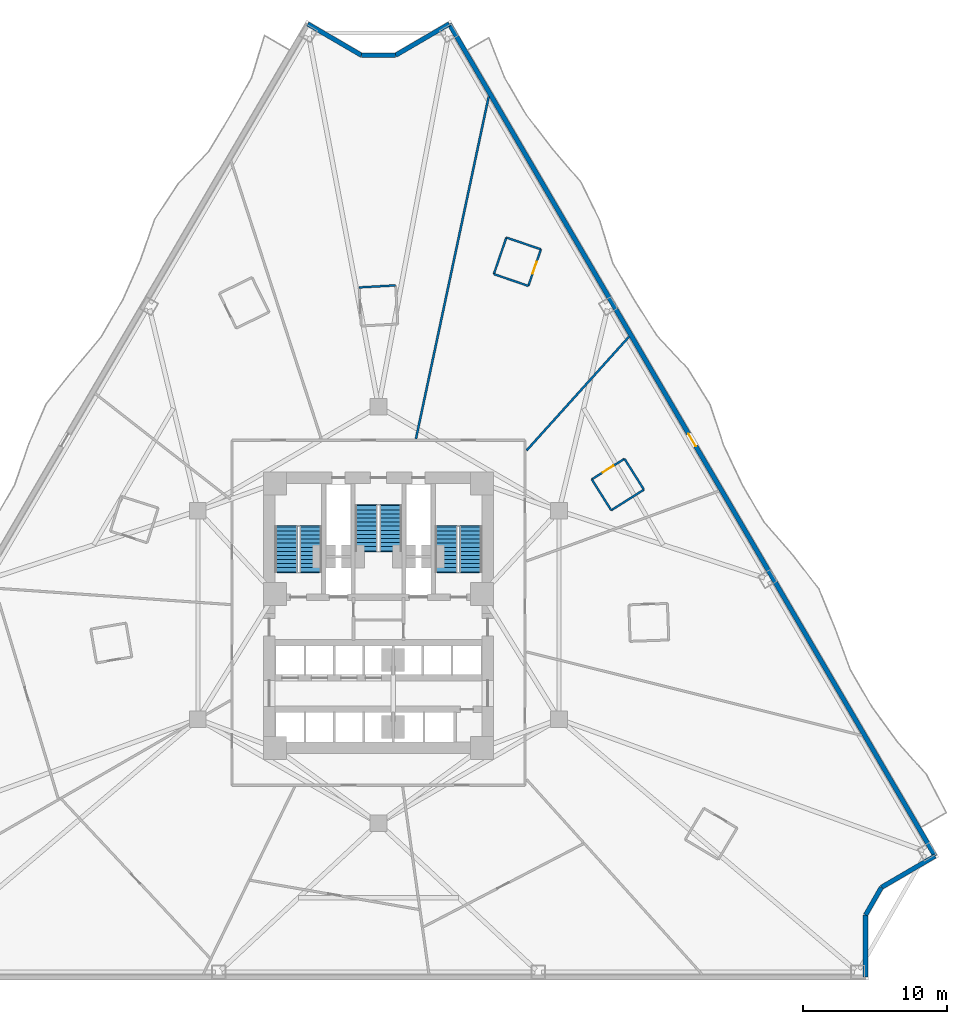
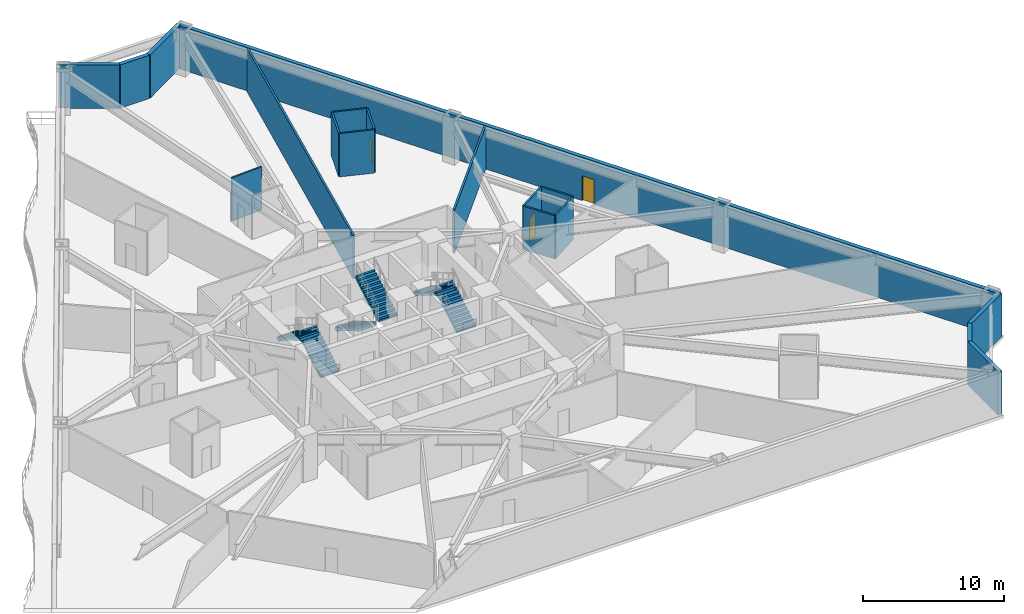
# One storey, part 7 of 11: 18 walls, 6 stair flights, 3 doors, 3 openings, 3 elements without a shape of their own.
"""IFC4 building model written with IfcOpenShell, lengths in metres."""

import ifcopenshell
import ifcopenshell.guid

model = None  # the IFC model being written
_history = None  # IfcOwnerHistory: only IFC2X3 demands one
_inside = {}  # id of a spatial element -> (the spatial element, [elements in it])
_under = {}  # id of a project, library or spatial element -> (it, [spatial elements below it])
_declared = {}  # id of a project -> (the project, [libraries it declares])
_typed = {}  # id of a type object -> (the type object, [elements of that type])
_made_of = {}  # id of a material, layer set ... -> (it, [elements and type objects made of it])


def new_model(schema):
    """Start an empty IFC model of exactly this schema.

    Asked for "IFC4X3", IfcOpenShell would pick the latest addendum, in which some entities
    have other attributes; the version numbers below select the first issue.
    IFC2X3 requires an IfcOwnerHistory on every rooted entity: one is made here for all.
    """
    global model, _history
    if schema == "IFC4X3":
        model = ifcopenshell.file(schema_version=(4, 3, 0, 0))
    else:
        model = ifcopenshell.file(schema=schema)
    _inside.clear()
    _under.clear()
    _declared.clear()
    _typed.clear()
    _made_of.clear()
    _history = None
    if model.schema == "IFC2X3":
        org = make("IfcOrganization", Name="unknown")
        user = make(
            "IfcPersonAndOrganization",
            ThePerson=make("IfcPerson", FamilyName="unknown"),
            TheOrganization=org,
        )
        app = make(
            "IfcApplication",
            ApplicationDeveloper=org,
            Version="unknown",
            ApplicationFullName="unknown",
            ApplicationIdentifier="unknown",
        )
        _history = make(
            "IfcOwnerHistory",
            OwningUser=user,
            OwningApplication=app,
            ChangeAction="ADDED",
            CreationDate=0,
        )
    return model


def make(cls, **values):
    """One entity of the class cls with the attributes given. An attribute that is None is left unset."""
    return model.create_entity(
        cls, **{name: value for name, value in values.items() if value is not None}
    )


def rooted(cls, **values):
    """An entity with a GlobalId (a new one), such as an element, a storey or a relation."""
    return make(cls, GlobalId=ifcopenshell.guid.new(), OwnerHistory=_history, **values)


def si_unit(unit_type, name, prefix=None):
    """IfcSIUnit, for example si_unit("LENGTHUNIT", "METRE", prefix="MILLI")."""
    return make("IfcSIUnit", UnitType=unit_type, Prefix=prefix, Name=name)


def assignment(units):
    """IfcUnitAssignment: the units of a project."""
    return None if units is None else make("IfcUnitAssignment", Units=units)


def point(xyz):
    """IfcCartesianPoint."""
    return None if xyz is None else make("IfcCartesianPoint", Coordinates=xyz)


def direction(xyz):
    """IfcDirection."""
    return None if xyz is None else make("IfcDirection", DirectionRatios=xyz)


def frame(location, z_axis=None, x_axis=None):
    """IfcAxis2Placement3D, a coordinate frame: its origin and axes. An axis left out is left unset."""
    return make(
        "IfcAxis2Placement3D",
        Location=point(location),
        Axis=direction(z_axis),
        RefDirection=direction(x_axis),
    )


def frame_2d(location, x_axis=None):
    """IfcAxis2Placement2D, a coordinate frame in the plane: its origin and x axis."""
    return make(
        "IfcAxis2Placement2D", Location=point(location), RefDirection=direction(x_axis)
    )


def origin():
    """The frame at (0, 0, 0) with its axes left unset."""
    return frame((0.0, 0.0, 0.0))


def place(relative_to, where):
    """IfcLocalPlacement: puts the frame where relative to a parent placement (None: the world)."""
    return make(
        "IfcLocalPlacement", PlacementRelTo=relative_to, RelativePlacement=where
    )


def context(
    kind, dimensions, precision=None, world=None, true_north=None, identifier=None
):
    """IfcGeometricRepresentationContext, for example the 3D "Model" context."""
    return make(
        "IfcGeometricRepresentationContext",
        ContextIdentifier=identifier,
        ContextType=kind,
        CoordinateSpaceDimension=dimensions,
        Precision=precision,
        WorldCoordinateSystem=world,
        TrueNorth=true_north,
    )


def subcontext(parent, identifier, kind, view, scale=None):
    """IfcGeometricRepresentationSubContext, for example "Body" below "Model"."""
    return make(
        "IfcGeometricRepresentationSubContext",
        ContextIdentifier=identifier,
        ContextType=kind,
        ParentContext=parent,
        TargetScale=scale,
        TargetView=view,
    )


def project(units=None, contexts=None):
    """IfcProject with its units and contexts."""
    return rooted(
        "IfcProject",
        Name="project",
        RepresentationContexts=contexts,
        UnitsInContext=assignment(units),
    )


def spatial(cls, under=None, at=None, **own):
    """A site, building, storey or space (cls), placed at a placement, below another one or the project."""
    s = rooted(cls, ObjectPlacement=at, **own)
    if under is not None:
        _under.setdefault(under.id(), (under, []))[1].append(s)
    return s


def polyline(points):
    """IfcPolyline through the points."""
    return make("IfcPolyline", Points=[point(p) for p in points])


def profile(cls, at=None, kind="AREA", **sizes):
    """A parametric profile (cls). Its sizes go by their IFC names, for example OverallWidth=200.0."""
    return make(cls, ProfileType=kind, Position=at, **sizes)


def rectangle(**sizes):
    """IfcRectangleProfileDef."""
    return profile("IfcRectangleProfileDef", **sizes)


def outline(outer, holes=None, kind="AREA"):
    """IfcArbitraryClosedProfileDef: a profile drawn as a closed curve; with holes, ...WithVoids."""
    if holes is None:
        return make("IfcArbitraryClosedProfileDef", ProfileType=kind, OuterCurve=outer)
    return make(
        "IfcArbitraryProfileDefWithVoids",
        ProfileType=kind,
        OuterCurve=outer,
        InnerCurves=holes,
    )


def extrude(swept, where, along, depth):
    """IfcExtrudedAreaSolid: the profile swept, set in the frame where, extruded along a direction by depth."""
    return make(
        "IfcExtrudedAreaSolid",
        SweptArea=swept,
        Position=where,
        ExtrudedDirection=direction(along),
        Depth=depth,
    )


def shape(context_of_items, identifier, shape_type, items):
    """IfcShapeRepresentation: the items that make up one representation, for example the "Body"."""
    return make(
        "IfcShapeRepresentation",
        ContextOfItems=context_of_items,
        RepresentationIdentifier=identifier,
        RepresentationType=shape_type,
        Items=items,
    )


def material(Name=None, Category=None):
    """IfcMaterial."""
    return make("IfcMaterial", Name=Name, Category=Category)


def layer(
    of_material, thickness, ventilated=None, Name=None, Category=None, Priority=None
):
    """IfcMaterialLayer: one layer of a wall or slab, of a material (None: an air gap)."""
    return make(
        "IfcMaterialLayer",
        Material=of_material,
        LayerThickness=thickness,
        IsVentilated=ventilated,
        Name=Name,
        Category=Category,
        Priority=Priority,
    )


def layer_set(layers, Name=None):
    """IfcMaterialLayerSet."""
    return make("IfcMaterialLayerSet", MaterialLayers=layers, LayerSetName=Name)


def made_of(thing, what):
    """Note that an element or type object is made of a material, layer set ...; save() writes the relation."""
    if what is not None:
        _made_of.setdefault(what.id(), (what, []))[1].append(thing)
    return thing


def type_object(cls, material=None, **own):
    """A type object (cls), such as IfcWallType, which elements share."""
    return made_of(rooted(cls, **own), material)


def element(
    cls,
    number,
    at=None,
    inside=None,
    cuts=None,
    type_object=None,
    material=None,
    context=None,
    identifier="Body",
    shape_type=None,
    held_by="IfcProductDefinitionShape",
    body=None,
    shapes=None,
    **own,
):
    """One element of the class cls, such as IfcWall. Its Tag is "e" and its number.

    at: its placement. inside: the storey or other place that contains it. cuts: it is an
    opening in that element (IfcRelVoidsElement). A single representation is given by context,
    identifier, shape_type and body (its items); several are given by shapes. held_by: the class
    of the entity that holds the representations. save() writes the other relations.
    """
    e = rooted(cls, Tag="e%d" % number, ObjectPlacement=at, **own)
    if body is not None:
        shapes = [shape(context, identifier, shape_type, body)]
    if shapes is not None:
        e.Representation = make(held_by, Representations=shapes)
    if inside is not None:
        _inside.setdefault(inside.id(), (inside, []))[1].append(e)
    if cuts is not None:
        rooted(
            "IfcRelVoidsElement", RelatingBuildingElement=cuts, RelatedOpeningElement=e
        )
    if type_object is not None:
        _typed.setdefault(type_object.id(), (type_object, []))[1].append(e)
    return made_of(e, material)


def fill(opening, filler):
    """IfcRelFillsElement: the door or window that sits in an opening."""
    return rooted(
        "IfcRelFillsElement",
        RelatingOpeningElement=opening,
        RelatedBuildingElement=filler,
    )


def aggregate(whole, parts):
    """IfcRelAggregates: a whole, such as a stair, and the parts it consists of."""
    return rooted("IfcRelAggregates", RelatingObject=whole, RelatedObjects=parts)


def save(model, path):
    """Write the relations noted so far, then the file.

    IfcRelAggregates (storeys below a building ...), IfcRelContainedInSpatialStructure (elements
    in a storey), IfcRelDefinesByType, IfcRelAssociatesMaterial and IfcRelDeclares: one each for
    every whole, place, type object, material and project.
    """
    for whole, parts in _under.values():
        aggregate(whole, parts)
    for where, things in _inside.values():
        rooted(
            "IfcRelContainedInSpatialStructure",
            RelatedElements=things,
            RelatingStructure=where,
        )
    for kind, things in _typed.values():
        rooted("IfcRelDefinesByType", RelatedObjects=things, RelatingType=kind)
    for what, things in _made_of.values():
        rooted("IfcRelAssociatesMaterial", RelatedObjects=things, RelatingMaterial=what)
    for by, libraries in _declared.values():
        rooted("IfcRelDeclares", RelatingContext=by, RelatedDefinitions=libraries)
    model.write(path)


model = new_model("IFC4")

# Units and contexts
model_context = context("Model", 3, precision=1e-05, world=origin(), true_north=direction((0.0, 1.0)))
body_context = subcontext(model_context, "Body", "Model", "MODEL_VIEW")
ifc_project = project(units=[si_unit("LENGTHUNIT", "METRE"), si_unit("AREAUNIT", "SQUARE_METRE"), si_unit("VOLUMEUNIT", "CUBIC_METRE"), si_unit("PLANEANGLEUNIT", "RADIAN"), si_unit("MASSUNIT", "GRAM", prefix="KILO")], contexts=[model_context])

# Site, building, storey
site_placement = place(None, origin())
site = spatial("IfcSite", under=ifc_project, at=site_placement, CompositionType="ELEMENT")
building_placement = place(site_placement, origin())
building = spatial("IfcBuilding", under=site, at=building_placement, Name="Apsidion Concourse Tower", CompositionType="ELEMENT")
storey_placement = place(building_placement, frame((0.0, 0.0, 54.39990234375)))
storey = spatial("IfcBuildingStorey", under=building, at=storey_placement, Name="L11", CompositionType="ELEMENT", Elevation=54.39990234375)

# Wall, opening, door
ifc_material_1 = material(Name="Precast concrete C40/50", Category="concrete")
ifc_layer_1 = layer(ifc_material_1, 0.320068359375)
ifc_layer_set_1 = layer_set([ifc_layer_1], Name="Precast concrete C40/50")
wall_type_1 = type_object("IfcWallType", Name="WL-EXT-320", PredefinedType="STANDARD", material=ifc_layer_set_1)
wall_1_placement = place(storey_placement, frame((4.9228515625, 41.121826171875, 0.0), z_axis=(0.0, 0.0, 1.0), x_axis=(0.504213113214, -0.863579258935, 0.0)))
wall_1 = element("IfcWall", 1, at=wall_1_placement, inside=storey, type_object=wall_type_1, Name="L11 Precast Stone Facade Wall 01", PredefinedType="STANDARD", context=body_context, shape_type="SweptSolid", body=[
    extrude(rectangle(XDim=67.041015625, YDim=0.320068359375, at=frame_2d((33.5205078125, 0.0))), origin(), (0.0, 0.0, 1.0), 3.75),
])
opening_1_placement = place(wall_1_placement, frame((33.0205078125, 0.0, 0.0)))
opening_1 = element("IfcOpeningElement", 2, at=opening_1_placement, cuts=wall_1, Name="Opening D-T1R", PredefinedType="OPENING", context=body_context, shape_type="SweptSolid", body=[
    extrude(rectangle(XDim=1.0, YDim=2.14990234375, at=frame_2d((0.5, 1.074951171875))), frame((0.0, 0.169921875, 0.0), z_axis=(0.0, -1.0, 0.0), x_axis=(1.0, 0.0, 0.0)), (0.0, 0.0, 1.0), 0.340087890625),
])
ifc_material_2 = material(Name="Anodised aluminium EN AW-6063 T6", Category="aluminium")
door_type_1 = type_object("IfcDoorType", Name="DR-TER-1022R", OperationType="SINGLE_SWING_RIGHT", PredefinedType="DOOR", material=ifc_material_2)
door_1_placement = place(opening_1_placement, origin())
door_1 = element("IfcDoor", 3, at=door_1_placement, inside=storey, type_object=door_type_1, Name="L11 Balcony Access Door 1", OperationType="SINGLE_SWING_RIGHT", OverallHeight=2.14990234375, OverallWidth=1.0, PredefinedType="DOOR", context=body_context, shape_type="SweptSolid", body=[
    extrude(rectangle(XDim=1.0, YDim=2.14990234375, at=frame_2d((0.5, 1.074951171875))), frame((0.0, 0.02490234375, 0.0), z_axis=(0.0, -1.0, 0.0), x_axis=(1.0, 0.0, 0.0)), (0.0, 0.0, 1.0), 0.050048828125),
])
fill(opening_1, door_1)

# Walls
wall_2_placement = place(storey_placement, frame((38.725830078125, -16.7734375, 0.0), z_axis=(0.0, 0.0, 1.0), x_axis=(-0.863569936823, -0.504229079105, 0.0)))
element("IfcWall", 4, at=wall_2_placement, inside=storey, type_object=wall_type_1, Name="L11 Precast Stone Facade Wall 02", PredefinedType="STANDARD", context=body_context, shape_type="SweptSolid", body=[
    extrude(rectangle(XDim=4.32373046875, YDim=0.320068359375, at=frame_2d((2.161865234375, 0.0))), origin(), (0.0, 0.0, 1.0), 3.75),
])
wall_3_placement = place(storey_placement, frame((34.991943359375, -18.95361328125, 0.0), z_axis=(0.0, 0.0, 1.0), x_axis=(-0.497881323344, -0.867245171717, 0.0)))
element("IfcWall", 5, at=wall_3_placement, inside=storey, type_object=wall_type_1, Name="L11 Precast Stone Facade Wall 03", PredefinedType="STANDARD", context=body_context, shape_type="SweptSolid", body=[
    extrude(rectangle(XDim=2.216796875, YDim=0.320068359375, at=frame_2d((1.1083984375, 0.0))), origin(), (0.0, 0.0, 1.0), 3.75),
])
wall_4_placement = place(storey_placement, frame((33.88818359375, -20.876220703125, 0.0), z_axis=(0.0, 0.0, 1.0), x_axis=(0.0, -1.0, 0.0)))
element("IfcWall", 6, at=wall_4_placement, inside=storey, type_object=wall_type_1, Name="L11 Precast Stone Facade Wall 04", PredefinedType="STANDARD", context=body_context, shape_type="SweptSolid", body=[
    extrude(rectangle(XDim=4.32373046875, YDim=0.320068359375, at=frame_2d((2.161865234375, 0.0))), origin(), (0.0, 0.0, 1.0), 3.75),
])
wall_5_placement = place(storey_placement, frame((-4.9228515625, 41.121826171875, 0.0), z_axis=(0.0, 0.0, 1.0), x_axis=(0.863588414101, -0.50419743259, 0.0)))
element("IfcWall", 7, at=wall_5_placement, inside=storey, type_object=wall_type_1, Name="L11 Precast Stone Facade Wall 10", PredefinedType="STANDARD", context=body_context, shape_type="SweptSolid", body=[
    extrude(rectangle(XDim=4.324462890625, YDim=0.320068359375, at=frame_2d((2.162109375, 0.0))), origin(), (0.0, 0.0, 1.0), 3.75),
])
wall_6_placement = place(storey_placement, frame((-1.188232421875, 38.94140625, 0.0), z_axis=(0.0, 0.0, 1.0), x_axis=(1.0, 0.0, 0.0)))
element("IfcWall", 8, at=wall_6_placement, inside=storey, type_object=wall_type_1, Name="L11 Precast Stone Facade Wall 11", PredefinedType="STANDARD", context=body_context, shape_type="SweptSolid", body=[
    extrude(rectangle(XDim=2.37646484375, YDim=0.320068359375, at=frame_2d((1.188232421875, 0.0))), origin(), (0.0, 0.0, 1.0), 3.75),
])
wall_7_placement = place(storey_placement, frame((1.188232421875, 38.94140625, 0.0), z_axis=(0.0, 0.0, 1.0), x_axis=(0.863588414101, 0.50419743259, 0.0)))
element("IfcWall", 9, at=wall_7_placement, inside=storey, type_object=wall_type_1, Name="L11 Precast Stone Facade Wall 12", PredefinedType="STANDARD", context=body_context, shape_type="SweptSolid", body=[
    extrude(rectangle(XDim=4.324462890625, YDim=0.320068359375, at=frame_2d((2.162109375, 0.0))), origin(), (0.0, 0.0, 1.0), 3.75),
])
ifc_material_3 = material(Name="Gypsum plasterboard partition")
ifc_layer_2 = layer(ifc_material_3, 0.139892578125)
ifc_layer_set_2 = layer_set([ifc_layer_2], Name="Gypsum plasterboard partition")
wall_type_2 = type_object("IfcWallType", Name="WL-INT-PAR-140", PredefinedType="PARTITIONING", material=ifc_layer_set_2)
wall_8_placement = place(storey_placement, frame((16.19287109375, 7.283203125, 0.0), z_axis=(0.0, 0.0, 1.0), x_axis=(0.846152501914, 0.532940844282, 0.0)))
element("IfcWall", 10, at=wall_8_placement, inside=storey, type_object=wall_type_2, Name="L11 Interior Partition WL-L11-POD-ENS06-S1", PredefinedType="PARTITIONING", context=body_context, shape_type="SweptSolid", body=[
    extrude(rectangle(XDim=2.68994140625, YDim=0.139892578125, at=frame_2d((1.344970703125, 0.0))), origin(), (0.0, 0.0, 1.0), 3.75),
])
wall_9_placement = place(storey_placement, frame((18.468994140625, 8.716796875, 0.0), z_axis=(0.0, 0.0, 1.0), x_axis=(-0.53290759563, 0.846173442339, 0.0)))
element("IfcWall", 11, at=wall_9_placement, inside=storey, type_object=wall_type_2, Name="L11 Interior Partition WL-L11-POD-ENS06-S2", PredefinedType="PARTITIONING", context=body_context, shape_type="SweptSolid", body=[
    extrude(rectangle(XDim=2.539794921875, YDim=0.139892578125, at=frame_2d((1.27001953125, 0.0))), origin(), (0.0, 0.0, 1.0), 3.75),
])

# Wall, opening, door
wall_10_placement = place(storey_placement, frame((17.115478515625, 10.865966796875, 0.0), z_axis=(0.0, 0.0, 1.0), x_axis=(-0.846193429407, -0.532875857991, 0.0)))
wall_10 = element("IfcWall", 12, at=wall_10_placement, inside=storey, type_object=wall_type_2, Name="L11 Interior Partition WL-L11-POD-ENS06-S3", PredefinedType="PARTITIONING", context=body_context, shape_type="SweptSolid", body=[
    extrude(rectangle(XDim=2.68994140625, YDim=0.139892578125, at=frame_2d((1.344970703125, 0.0))), origin(), (0.0, 0.0, 1.0), 3.75),
])
opening_2_placement = place(wall_10_placement, frame((0.905029296875, 0.0, 0.0)))
opening_2 = element("IfcOpeningElement", 13, at=opening_2_placement, cuts=wall_10, Name="Opening D-03L", PredefinedType="OPENING", context=body_context, shape_type="SweptSolid", body=[
    extrude(rectangle(XDim=0.8798828125, YDim=2.10009765625, at=frame_2d((0.43994140625, 1.050048828125))), frame((0.0, 0.080078125, 0.0), z_axis=(0.0, -1.0, 0.0), x_axis=(1.0, 0.0, 0.0)), (0.0, 0.0, 1.0), 0.159912109375),
])
door_type_2 = type_object("IfcDoorType", Name="DR-INT-D03L", OperationType="SINGLE_SWING_LEFT", PredefinedType="DOOR", material=ifc_material_2)
door_2_placement = place(opening_2_placement, origin())
door_2 = element("IfcDoor", 14, at=door_2_placement, inside=storey, type_object=door_type_2, Name="L11 Guest En-Suite Bathroom Door ENS06", OperationType="SINGLE_SWING_LEFT", OverallHeight=2.10009765625, OverallWidth=0.8798828125, PredefinedType="DOOR", context=body_context, shape_type="SweptSolid", body=[
    extrude(rectangle(XDim=0.8798828125, YDim=2.10009765625, at=frame_2d((0.43994140625, 1.050048828125))), frame((0.0, 0.02490234375, 0.0), z_axis=(0.0, -1.0, 0.0), x_axis=(1.0, 0.0, 0.0)), (0.0, 0.0, 1.0), 0.050048828125),
])
fill(opening_2, door_2)

# Wall
wall_11_placement = place(storey_placement, frame((14.83935546875, 9.4326171875, 0.0), z_axis=(0.0, 0.0, 1.0), x_axis=(0.532864253358, -0.846200737115, 0.0)))
element("IfcWall", 15, at=wall_11_placement, inside=storey, type_object=wall_type_2, Name="L11 Interior Partition WL-L11-POD-ENS06-S4", PredefinedType="PARTITIONING", context=body_context, shape_type="SweptSolid", body=[
    extrude(rectangle(XDim=2.5400390625, YDim=0.139892578125, at=frame_2d((1.27001953125, 0.0))), origin(), (0.0, 0.0, 1.0), 3.75),
])

# Wall, opening, door
wall_12_placement = place(storey_placement, frame((10.42822265625, 22.892578125, 0.0), z_axis=(0.0, 0.0, 1.0), x_axis=(0.323922868878, 0.946083492625, 0.0)))
wall_12 = element("IfcWall", 16, at=wall_12_placement, inside=storey, type_object=wall_type_2, Name="L11 Interior Partition WL-L11-POD-ENS07-S1", PredefinedType="PARTITIONING", context=body_context, shape_type="SweptSolid", body=[
    extrude(rectangle(XDim=2.68994140625, YDim=0.139892578125, at=frame_2d((1.344970703125, 0.0))), origin(), (0.0, 0.0, 1.0), 3.75),
])
opening_3_placement = place(wall_12_placement, frame((0.905029296875, 0.0, 0.0)))
opening_3 = element("IfcOpeningElement", 17, at=opening_3_placement, cuts=wall_12, Name="Opening D-03R", PredefinedType="OPENING", context=body_context, shape_type="SweptSolid", body=[
    extrude(rectangle(XDim=0.8798828125, YDim=2.10009765625, at=frame_2d((0.43994140625, 1.050048828125))), frame((0.0, 0.080078125, 0.0), z_axis=(0.0, -1.0, 0.0), x_axis=(1.0, 0.0, 0.0)), (0.0, 0.0, 1.0), 0.159912109375),
])
door_type_3 = type_object("IfcDoorType", Name="DR-INT-D03R", OperationType="SINGLE_SWING_RIGHT", PredefinedType="DOOR", material=ifc_material_2)
door_3_placement = place(opening_3_placement, origin())
door_3 = element("IfcDoor", 18, at=door_3_placement, inside=storey, type_object=door_type_3, Name="L11 Guest En-Suite Bathroom Door ENS07", OperationType="SINGLE_SWING_RIGHT", OverallHeight=2.10009765625, OverallWidth=0.8798828125, PredefinedType="DOOR", context=body_context, shape_type="SweptSolid", body=[
    extrude(rectangle(XDim=0.8798828125, YDim=2.10009765625, at=frame_2d((0.43994140625, 1.050048828125))), frame((0.0, 0.02490234375, 0.0), z_axis=(0.0, -1.0, 0.0), x_axis=(1.0, 0.0, 0.0)), (0.0, 0.0, 1.0), 0.050048828125),
])
fill(opening_3, door_3)

# Walls
wall_13_placement = place(storey_placement, frame((11.299560546875, 25.4375, 0.0), z_axis=(0.0, 0.0, 1.0), x_axis=(-0.946085716499, 0.323916373524, 0.0)))
element("IfcWall", 19, at=wall_13_placement, inside=storey, type_object=wall_type_2, Name="L11 Interior Partition WL-L11-POD-ENS07-S2", PredefinedType="PARTITIONING", context=body_context, shape_type="SweptSolid", body=[
    extrude(rectangle(XDim=2.5400390625, YDim=0.139892578125, at=frame_2d((1.27001953125, 0.0))), origin(), (0.0, 0.0, 1.0), 3.75),
])
wall_14_placement = place(storey_placement, frame((8.896484375, 26.26025390625, 0.0), z_axis=(0.0, 0.0, 1.0), x_axis=(-0.323922868878, -0.946083492625, 0.0)))
element("IfcWall", 20, at=wall_14_placement, inside=storey, type_object=wall_type_2, Name="L11 Interior Partition WL-L11-POD-ENS07-S3", PredefinedType="PARTITIONING", context=body_context, shape_type="SweptSolid", body=[
    extrude(rectangle(XDim=2.68994140625, YDim=0.139892578125, at=frame_2d((1.344970703125, 0.0))), origin(), (0.0, 0.0, 1.0), 3.75),
])
for number, where, z_axis, x_axis, name in (
    (21, (8.025146484375, 23.71533203125, 0.0), (0.0, 0.0, 1.0), (0.946085716499, -0.323916373524, 0.0), "L11 Interior Partition WL-L11-POD-ENS07-S4"),
    (22, (1.19140625, 22.9296875, 0.0), (0.0, 0.0, 1.0), (-0.998439582043, -0.055842645087, 0.0), "L11 Interior Partition WL-L11-POD-ENS08-S2"),
):
    element("IfcWall", number, at=place(storey_placement, frame(where, z_axis=z_axis, x_axis=x_axis)), inside=storey, type_object=wall_type_2, Name=name, PredefinedType="PARTITIONING", context=body_context, shape_type="SweptSolid", body=[
        extrude(rectangle(XDim=2.5400390625, YDim=0.139892578125, at=frame_2d((1.27001953125, 0.0))), origin(), (0.0, 0.0, 1.0), 3.75),
    ])
ifc_layer_3 = layer(ifc_material_3, 0.14990234375)
ifc_layer_set_3 = layer_set([ifc_layer_3], Name="Gypsum plasterboard partition")
wall_type_3 = type_object("IfcWallType", Name="WL-INT-PAR-150", PredefinedType="PARTITIONING", material=ifc_layer_set_3)
wall_15_placement = place(storey_placement, frame((10.304931640625, 11.44482421875, 0.0), z_axis=(0.0, 0.0, 1.0), x_axis=(0.6691357603, 0.743140184815, 0.0)))
element("IfcWall", 23, at=wall_15_placement, inside=storey, type_object=wall_type_3, Name="L11 Interior Partition WL-L11-RAD-02-1", PredefinedType="PARTITIONING", context=body_context, shape_type="SweptSolid", body=[
    extrude(rectangle(XDim=10.64599609375, YDim=0.14990234375, at=frame_2d((5.322998046875, 0.0))), origin(), (0.0, 0.0, 1.0), 3.75),
])
wall_16_placement = place(storey_placement, frame((2.60498046875, 12.2548828125, 0.0), z_axis=(0.0, 0.0, 1.0), x_axis=(0.207909477675, 0.978148071149, 0.0)))
element("IfcWall", 24, at=wall_16_placement, inside=storey, type_object=wall_type_3, Name="L11 Interior Partition WL-L11-RAD-03-1", PredefinedType="PARTITIONING", context=body_context, shape_type="SweptSolid", body=[
    extrude(rectangle(XDim=24.350830078125, YDim=0.14990234375, at=frame_2d((12.17529296875, 0.0))), origin(), (0.0, 0.0, 1.0), 3.75),
])

# Stair, stair flights
stair_type = type_object("IfcStairType", Name="ST-DL-1550", PredefinedType="HALF_TURN_STAIR", material=ifc_material_1)
stair_1_placement = place(storey_placement, origin())
stair_1 = element("IfcStair", 25, at=stair_1_placement, inside=storey, type_object=stair_type, Name="L11 Protected Core Exit Stair ST1", PredefinedType="HALF_TURN_STAIR")
stair_flight_type = type_object("IfcStairFlightType", Name="SFL-RC-1550", PredefinedType="STRAIGHT", material=ifc_material_1)
stair_flight_1_placement = place(storey_placement, frame((-4.72509765625, 3.0, 0.0), z_axis=(0.0, 0.0, 1.0), x_axis=(0.0, 1.0, 0.0)))
stair_flight_1 = element("IfcStairFlight", 26, at=stair_flight_1_placement, type_object=stair_flight_type, Name="ST1 flight 1", NumberOfRisers=12, NumberOfTreads=11, PredefinedType="STRAIGHT", RiserHeight=0.166666667, TreadLength=0.285, context=body_context, shape_type="SweptSolid", body=[
    extrude(outline(polyline([(-0.080078125, -0.1123046875), (-0.080078125, 0.0), (0.0, 0.0), (0.0, 0.166748046875), (0.284912109375, 0.166748046875), (0.284912109375, 0.333251953125), (0.570068359375, 0.333251953125), (0.570068359375, 0.5), (0.85498046875, 0.5), (0.85498046875, 0.666748046875), (1.139892578125, 0.666748046875), (1.139892578125, 0.833251953125), (1.425048828125, 0.833251953125), (1.425048828125, 1.0), (1.7099609375, 1.0), (1.7099609375, 1.166748046875), (1.9951171875, 1.166748046875), (1.9951171875, 1.333251953125), (2.280029296875, 1.333251953125), (2.280029296875, 1.5), (2.56494140625, 1.5), (2.56494140625, 1.666748046875), (2.85009765625, 1.666748046875), (2.85009765625, 1.833251953125), (3.135009765625, 1.833251953125), (3.135009765625, 2.0), (3.215087890625, 1.916748046875), (3.215087890625, 1.65966796875), (3.135009765625, 1.65966796875), (0.296875, 0.0), (0.296875, -0.1123046875), (-0.080078125, -0.1123046875)])), frame((0.0, 0.77490234375, 0.0), z_axis=(0.0, -1.0, 0.0), x_axis=(1.0, 0.0, 0.0)), (0.0, 0.0, 1.0), 1.550048828125),
])
stair_flight_2_placement = place(storey_placement, frame((-6.425048828125, 6.135009765625, 2.0), z_axis=(0.0, 0.0, 1.0), x_axis=(0.0, -1.0, 0.0)))
stair_flight_2 = element("IfcStairFlight", 27, at=stair_flight_2_placement, type_object=stair_flight_type, Name="ST1 flight 2", NumberOfRisers=12, NumberOfTreads=11, PredefinedType="STRAIGHT", RiserHeight=0.166666667, TreadLength=0.285, context=body_context, shape_type="SweptSolid", body=[
    extrude(outline(polyline([(-0.080078125, -0.1123046875), (-0.080078125, 0.0), (0.0, 0.0), (0.0, 0.166748046875), (0.284912109375, 0.166748046875), (0.284912109375, 0.333251953125), (0.570068359375, 0.333251953125), (0.570068359375, 0.5), (0.85498046875, 0.5), (0.85498046875, 0.666748046875), (1.139892578125, 0.666748046875), (1.139892578125, 0.833251953125), (1.425048828125, 0.833251953125), (1.425048828125, 1.0), (1.7099609375, 1.0), (1.7099609375, 1.166748046875), (1.9951171875, 1.166748046875), (1.9951171875, 1.333251953125), (2.280029296875, 1.333251953125), (2.280029296875, 1.5), (2.56494140625, 1.5), (2.56494140625, 1.666748046875), (2.85009765625, 1.666748046875), (2.85009765625, 1.833251953125), (3.135009765625, 1.833251953125), (3.135009765625, 2.0), (3.215087890625, 1.916748046875), (3.215087890625, 1.65966796875), (3.135009765625, 1.65966796875), (0.296875, 0.0), (0.296875, -0.1123046875), (-0.080078125, -0.1123046875)])), frame((0.0, 0.77490234375, 0.0), z_axis=(0.0, -1.0, 0.0), x_axis=(1.0, 0.0, 0.0)), (0.0, 0.0, 1.0), 1.550048828125),
])
aggregate(stair_1, [stair_flight_1, stair_flight_2])

stair_2_placement = place(storey_placement, origin())
stair_2 = element("IfcStair", 28, at=stair_2_placement, inside=storey, type_object=stair_type, Name="L11 Protected Core Exit Stair ST2", PredefinedType="HALF_TURN_STAIR")
stair_flight_3_placement = place(storey_placement, frame((6.425048828125, 3.0, 0.0), z_axis=(0.0, 0.0, 1.0), x_axis=(0.0, 1.0, 0.0)))
stair_flight_3 = element("IfcStairFlight", 29, at=stair_flight_3_placement, type_object=stair_flight_type, Name="ST2 flight 1", NumberOfRisers=12, NumberOfTreads=11, PredefinedType="STRAIGHT", RiserHeight=0.166666667, TreadLength=0.285, context=body_context, shape_type="SweptSolid", body=[
    extrude(outline(polyline([(-0.080078125, -0.1123046875), (-0.080078125, 0.0), (0.0, 0.0), (0.0, 0.166748046875), (0.284912109375, 0.166748046875), (0.284912109375, 0.333251953125), (0.570068359375, 0.333251953125), (0.570068359375, 0.5), (0.85498046875, 0.5), (0.85498046875, 0.666748046875), (1.139892578125, 0.666748046875), (1.139892578125, 0.833251953125), (1.425048828125, 0.833251953125), (1.425048828125, 1.0), (1.7099609375, 1.0), (1.7099609375, 1.166748046875), (1.9951171875, 1.166748046875), (1.9951171875, 1.333251953125), (2.280029296875, 1.333251953125), (2.280029296875, 1.5), (2.56494140625, 1.5), (2.56494140625, 1.666748046875), (2.85009765625, 1.666748046875), (2.85009765625, 1.833251953125), (3.135009765625, 1.833251953125), (3.135009765625, 2.0), (3.215087890625, 1.916748046875), (3.215087890625, 1.65966796875), (3.135009765625, 1.65966796875), (0.296875, 0.0), (0.296875, -0.1123046875), (-0.080078125, -0.1123046875)])), frame((0.0, 0.77490234375, 0.0), z_axis=(0.0, -1.0, 0.0), x_axis=(1.0, 0.0, 0.0)), (0.0, 0.0, 1.0), 1.550048828125),
])
stair_flight_4_placement = place(storey_placement, frame((4.72509765625, 6.135009765625, 2.0), z_axis=(0.0, 0.0, 1.0), x_axis=(0.0, -1.0, 0.0)))
stair_flight_4 = element("IfcStairFlight", 30, at=stair_flight_4_placement, type_object=stair_flight_type, Name="ST2 flight 2", NumberOfRisers=12, NumberOfTreads=11, PredefinedType="STRAIGHT", RiserHeight=0.166666667, TreadLength=0.285, context=body_context, shape_type="SweptSolid", body=[
    extrude(outline(polyline([(-0.080078125, -0.1123046875), (-0.080078125, 0.0), (0.0, 0.0), (0.0, 0.166748046875), (0.284912109375, 0.166748046875), (0.284912109375, 0.333251953125), (0.570068359375, 0.333251953125), (0.570068359375, 0.5), (0.85498046875, 0.5), (0.85498046875, 0.666748046875), (1.139892578125, 0.666748046875), (1.139892578125, 0.833251953125), (1.425048828125, 0.833251953125), (1.425048828125, 1.0), (1.7099609375, 1.0), (1.7099609375, 1.166748046875), (1.9951171875, 1.166748046875), (1.9951171875, 1.333251953125), (2.280029296875, 1.333251953125), (2.280029296875, 1.5), (2.56494140625, 1.5), (2.56494140625, 1.666748046875), (2.85009765625, 1.666748046875), (2.85009765625, 1.833251953125), (3.135009765625, 1.833251953125), (3.135009765625, 2.0), (3.215087890625, 1.916748046875), (3.215087890625, 1.65966796875), (3.135009765625, 1.65966796875), (0.296875, 0.0), (0.296875, -0.1123046875), (-0.080078125, -0.1123046875)])), frame((0.0, 0.77490234375, 0.0), z_axis=(0.0, -1.0, 0.0), x_axis=(1.0, 0.0, 0.0)), (0.0, 0.0, 1.0), 1.550048828125),
])
aggregate(stair_2, [stair_flight_3, stair_flight_4])

stair_3_placement = place(storey_placement, origin())
stair_3 = element("IfcStair", 31, at=stair_3_placement, inside=storey, type_object=stair_type, Name="L11 Protected Core Exit Stair ST3", PredefinedType="HALF_TURN_STAIR")
stair_flight_5_placement = place(storey_placement, frame((-0.85009765625, 7.60009765625, 0.0), z_axis=(0.0, 0.0, 1.0), x_axis=(0.0, -1.0, 0.0)))
stair_flight_5 = element("IfcStairFlight", 32, at=stair_flight_5_placement, type_object=stair_flight_type, Name="ST3 flight 1", NumberOfRisers=12, NumberOfTreads=11, PredefinedType="STRAIGHT", RiserHeight=0.166666667, TreadLength=0.285, context=body_context, shape_type="SweptSolid", body=[
    extrude(outline(polyline([(-0.080078125, -0.1123046875), (-0.080078125, 0.0), (0.0, 0.0), (0.0, 0.166748046875), (0.284912109375, 0.166748046875), (0.284912109375, 0.333251953125), (0.570068359375, 0.333251953125), (0.570068359375, 0.5), (0.85498046875, 0.5), (0.85498046875, 0.666748046875), (1.139892578125, 0.666748046875), (1.139892578125, 0.833251953125), (1.425048828125, 0.833251953125), (1.425048828125, 1.0), (1.7099609375, 1.0), (1.7099609375, 1.166748046875), (1.9951171875, 1.166748046875), (1.9951171875, 1.333251953125), (2.280029296875, 1.333251953125), (2.280029296875, 1.5), (2.56494140625, 1.5), (2.56494140625, 1.666748046875), (2.85009765625, 1.666748046875), (2.85009765625, 1.833251953125), (3.135009765625, 1.833251953125), (3.135009765625, 2.0), (3.215087890625, 1.916748046875), (3.215087890625, 1.65966796875), (3.135009765625, 1.65966796875), (0.296875, 0.0), (0.296875, -0.1123046875), (-0.080078125, -0.1123046875)])), frame((0.0, 0.77490234375, 0.0), z_axis=(0.0, -1.0, 0.0), x_axis=(1.0, 0.0, 0.0)), (0.0, 0.0, 1.0), 1.550048828125),
])
stair_flight_6_placement = place(storey_placement, frame((0.85009765625, 4.465087890625, 2.0), z_axis=(0.0, 0.0, 1.0), x_axis=(0.0, 1.0, 0.0)))
stair_flight_6 = element("IfcStairFlight", 33, at=stair_flight_6_placement, type_object=stair_flight_type, Name="ST3 flight 2", NumberOfRisers=12, NumberOfTreads=11, PredefinedType="STRAIGHT", RiserHeight=0.166666667, TreadLength=0.285, context=body_context, shape_type="SweptSolid", body=[
    extrude(outline(polyline([(-0.080078125, -0.1123046875), (-0.080078125, 0.0), (0.0, 0.0), (0.0, 0.166748046875), (0.284912109375, 0.166748046875), (0.284912109375, 0.333251953125), (0.570068359375, 0.333251953125), (0.570068359375, 0.5), (0.85498046875, 0.5), (0.85498046875, 0.666748046875), (1.139892578125, 0.666748046875), (1.139892578125, 0.833251953125), (1.425048828125, 0.833251953125), (1.425048828125, 1.0), (1.7099609375, 1.0), (1.7099609375, 1.166748046875), (1.9951171875, 1.166748046875), (1.9951171875, 1.333251953125), (2.280029296875, 1.333251953125), (2.280029296875, 1.5), (2.56494140625, 1.5), (2.56494140625, 1.666748046875), (2.85009765625, 1.666748046875), (2.85009765625, 1.833251953125), (3.135009765625, 1.833251953125), (3.135009765625, 2.0), (3.215087890625, 1.916748046875), (3.215087890625, 1.65966796875), (3.135009765625, 1.65966796875), (0.296875, 0.0), (0.296875, -0.1123046875), (-0.080078125, -0.1123046875)])), frame((0.0, 0.77490234375, 0.0), z_axis=(0.0, -1.0, 0.0), x_axis=(1.0, 0.0, 0.0)), (0.0, 0.0, 1.0), 1.550048828125),
])
aggregate(stair_3, [stair_flight_5, stair_flight_6])

save(model, "model.ifc")
